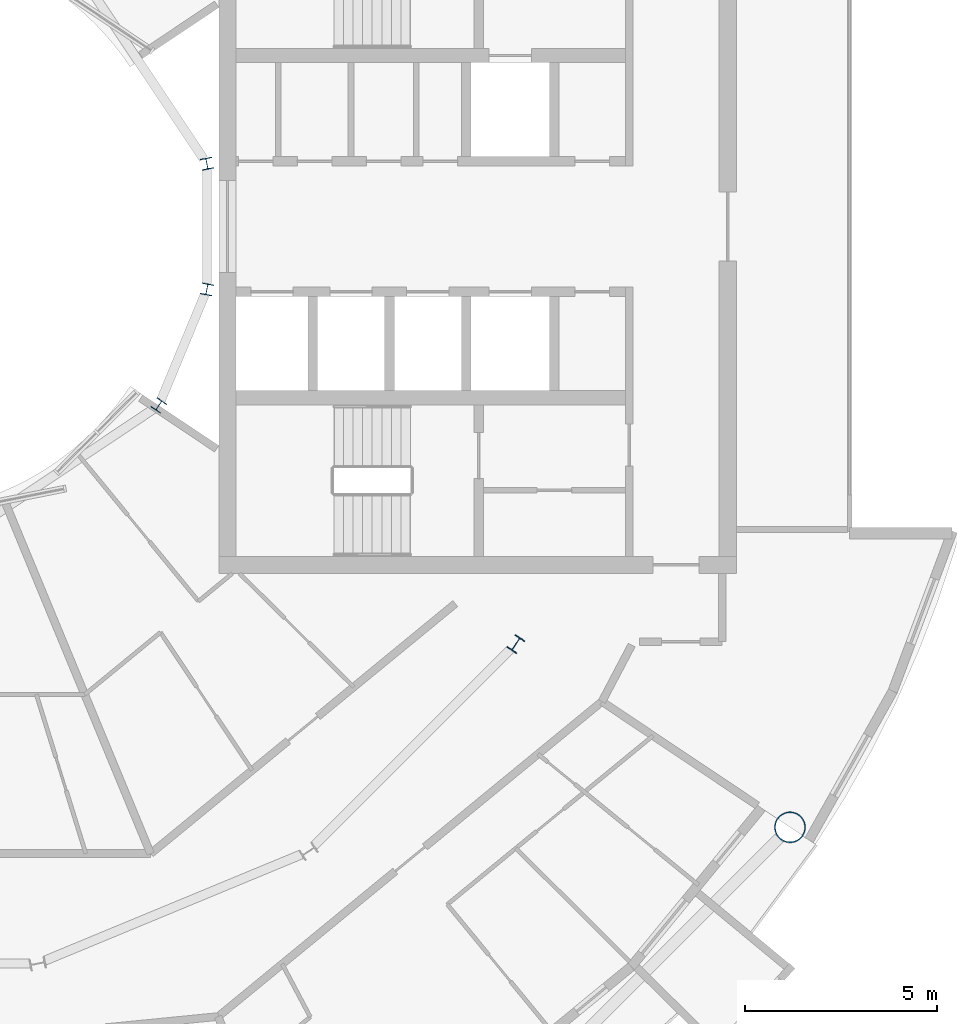
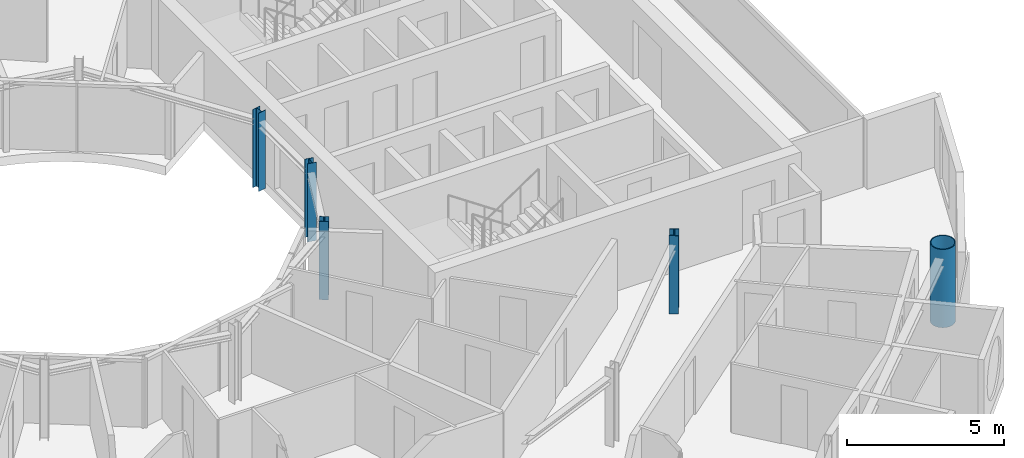
# One storey, part 3 of 29: 5 columns.
"""IFC4 building model written with IfcOpenShell, lengths in metres."""

from ifc_helpers import new_model, si_unit, direction, frame, origin, origin_2d, place, context, subcontext, project, spatial, hollow_circle, i_section, extrude, material, material_profile, profile_set, type_object, element, save


model = new_model("IFC4")

# Units and contexts
model_context = context("Model", 3, precision=1e-05, world=origin(), true_north=direction((0.0, 1.0)))
body_context = subcontext(model_context, "Body", "Model", "MODEL_VIEW")
ifc_project = project(units=[si_unit("LENGTHUNIT", "METRE"), si_unit("AREAUNIT", "SQUARE_METRE"), si_unit("VOLUMEUNIT", "CUBIC_METRE"), si_unit("PLANEANGLEUNIT", "RADIAN"), si_unit("MASSUNIT", "GRAM", prefix="KILO")], contexts=[model_context])

# Site, building, storey
site_placement = place(None, origin())
site = spatial("IfcSite", under=ifc_project, at=site_placement, CompositionType="ELEMENT")
building_placement = place(site_placement, origin())
building = spatial("IfcBuilding", under=site, at=building_placement, Name="Maasbend Ring Residences", CompositionType="ELEMENT")
storey_placement = place(building_placement, frame((0.0, 0.0, 205.449951171875)))
storey = spatial("IfcBuildingStorey", under=building, at=storey_placement, Name="L59", CompositionType="ELEMENT", Elevation=205.449951171875)

# Columns
ifc_material_1 = material(Name="Composite concrete-filled steel tube S460NH / C80/95", Category="concrete")
ifc_material_profile_1 = material_profile(ifc_material_1, hollow_circle(Radius=0.406494140625, WallThickness=0.030029296875, at=origin_2d()), Name="Composite tube column CHS 813x30")
ifc_profile_set_1 = profile_set([ifc_material_profile_1], Name="Composite concrete-filled steel tube S460NH / C80/95")
column_type_1 = type_object("IfcColumnType", Name="Composite tube column CHS 813x30", PredefinedType="COLUMN", material=ifc_profile_set_1)
column_1_placement = place(storey_placement, frame((23.447509765625, -15.6669921875, 0.0), z_axis=(0.0, 0.0, 1.0), x_axis=(1.0, 0.0, 0.0)))
element("IfcColumn", 1, at=column_1_placement, inside=storey, type_object=column_type_1, Name="Outer column R15", PredefinedType="COLUMN", context=body_context, shape_type="SweptSolid", body=[
    extrude(hollow_circle(Radius=0.406494140625, WallThickness=0.030029296875, at=origin_2d()), origin(), (0.0, 0.0, 1.0), 3.050048828125),
])
ifc_material_2 = material(Name="Steel S355J2", Category="steel")
ifc_material_profile_2 = material_profile(ifc_material_2, i_section(OverallWidth=0.300048828125, OverallDepth=0.2900390625, WebThickness=0.008544921875, FlangeThickness=0.013916015625, FilletRadius=0.027099609375, at=origin_2d()), Name="HEA 300")
ifc_profile_set_2 = profile_set([ifc_material_profile_2], Name="Steel S355J2")
column_type_2 = type_object("IfcColumnType", Name="Steel column HEA 300", PredefinedType="COLUMN", material=ifc_profile_set_2)
for number, where, z_axis, x_axis, name in (
    (2, (8.238525390625, 1.638916015625, 0.0), (0.0, 0.0, 1.0), (0.980785280403, 0.195090322016, 0.0), "Well ring column R1"),
    (3, (6.984375, -4.666748046875, 0.0), (0.0, 0.0, 1.0), (0.831469612303, -0.55557023302, 0.0), "Well ring column R15"),
    (4, (8.238525390625, -1.638916015625, 0.0), (0.0, 0.0, 1.0), (0.980785280403, -0.195090322016, 0.0), "Well ring column R16"),
):
    element("IfcColumn", number, at=place(storey_placement, frame(where, z_axis=z_axis, x_axis=x_axis)), inside=storey, type_object=column_type_2, Name=name, PredefinedType="COLUMN", context=body_context, shape_type="SweptSolid", body=[
        extrude(i_section(OverallWidth=0.300048828125, OverallDepth=0.2900390625, WebThickness=0.008544921875, FlangeThickness=0.013916015625, FilletRadius=0.027099609375, at=origin_2d()), origin(), (0.0, 0.0, 1.0), 3.050048828125),
    ])
ifc_material_3 = material(Name="Steel S355J2", Category="steel")
ifc_material_profile_3 = material_profile(ifc_material_3, i_section(OverallWidth=0.300048828125, OverallDepth=0.39990234375, WebThickness=0.013427734375, FlangeThickness=0.02392578125, FilletRadius=0.027099609375, at=origin_2d()), Name="HEB 400")
ifc_profile_set_3 = profile_set([ifc_material_profile_3], Name="Steel S355J2")
column_type_3 = type_object("IfcColumnType", Name="Steel column HEB 400", PredefinedType="COLUMN", material=ifc_profile_set_3)
column_2_placement = place(storey_placement, frame((16.296875, -10.88916015625, 0.0), z_axis=(0.0, 0.0, 1.0), x_axis=(0.831469612303, -0.55557023302, 0.0)))
element("IfcColumn", 5, at=column_2_placement, inside=storey, type_object=column_type_3, Name="Corridor ring column R15", PredefinedType="COLUMN", context=body_context, shape_type="SweptSolid", body=[
    extrude(i_section(OverallWidth=0.300048828125, OverallDepth=0.39990234375, WebThickness=0.013427734375, FlangeThickness=0.02392578125, FilletRadius=0.027099609375, at=origin_2d()), origin(), (0.0, 0.0, 1.0), 3.050048828125),
])

save(model, "model.ifc")
